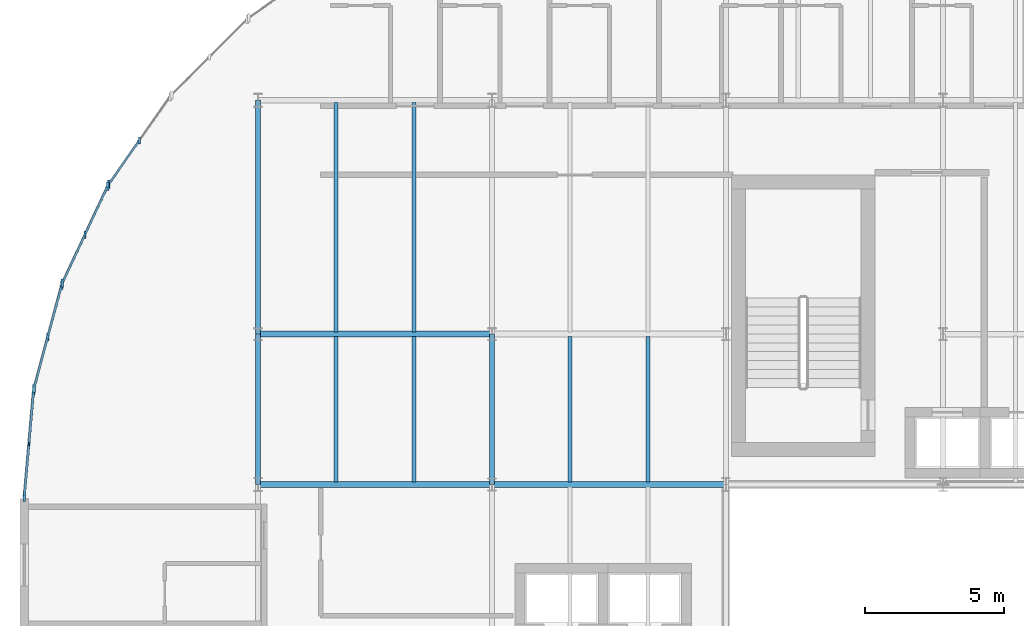
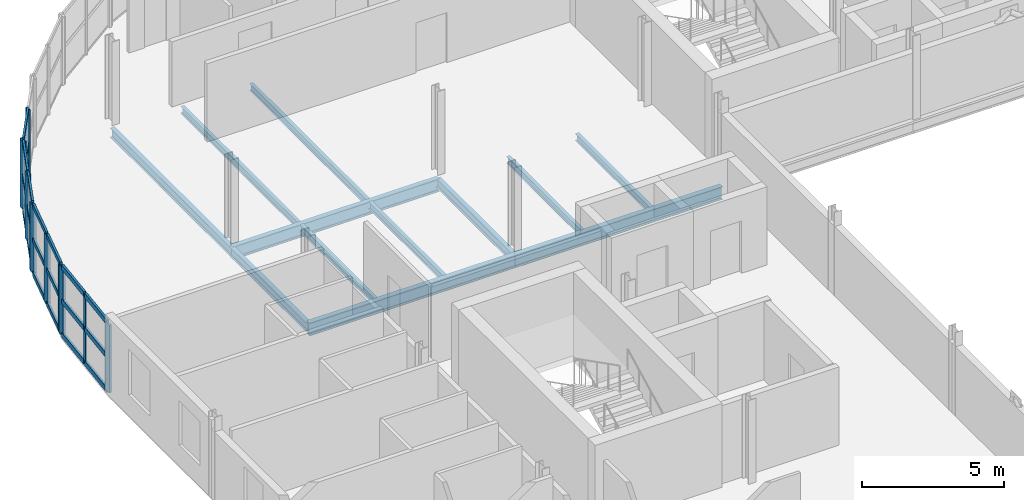
# One storey, part 9 of 36: 32 members, 12 beams, 4 elements without a shape of their own.
"""IFC4 building model written with IfcOpenShell, lengths in metres."""

from ifc_helpers import new_model, si_unit, direction, frame, origin, origin_2d, place, context, subcontext, project, spatial, rectangle, i_section, extrude, material, layer, layer_set, material_profile, profile_set, type_object, element, aggregate, save


model = new_model("IFC4")

# Units and contexts
model_context = context("Model", 3, precision=1e-05, world=origin(), true_north=direction((0.0, 1.0)))
body_context = subcontext(model_context, "Body", "Model", "MODEL_VIEW")
ifc_project = project(units=[si_unit("LENGTHUNIT", "METRE"), si_unit("AREAUNIT", "SQUARE_METRE"), si_unit("VOLUMEUNIT", "CUBIC_METRE"), si_unit("PLANEANGLEUNIT", "RADIAN"), si_unit("MASSUNIT", "GRAM", prefix="KILO")], contexts=[model_context])

# Site, building, storey
site_placement = place(None, origin())
site = spatial("IfcSite", under=ifc_project, at=site_placement, CompositionType="ELEMENT")
building_placement = place(site_placement, origin())
building = spatial("IfcBuilding", under=site, at=building_placement, Name="Sefraquen Railside Congress Hotel", CompositionType="ELEMENT")
storey_placement = place(building_placement, frame((0.0, 0.0, 28.199951171875)))
storey = spatial("IfcBuildingStorey", under=building, at=storey_placement, Name="L06", CompositionType="ELEMENT", Elevation=28.199951171875)

# Beams
ifc_material_1 = material(Name="Steel S355JR", Category="steel")
ifc_material_profile_1 = material_profile(ifc_material_1, i_section(OverallWidth=0.179931640625, OverallDepth=0.39990234375, WebThickness=0.008544921875, FlangeThickness=0.013427734375, FilletRadius=0.02099609375, at=origin_2d()), Name="IPE 400")
ifc_profile_set_1 = profile_set([ifc_material_profile_1], Name="Steel S355JR")
beam_type_1 = type_object("IfcBeamType", Name="TB-BM-400I", PredefinedType="BEAM", material=ifc_profile_set_1)
beam_1_placement = place(storey_placement, frame((8.39990234375, 96.0, -0.4599609375), z_axis=(0.0, 1.0, 0.0), x_axis=(-1.0, 0.0, 0.0)))
element("IfcBeam", 1, at=beam_1_placement, inside=storey, type_object=beam_type_1, Name="Floor beam BM-L06-1656", PredefinedType="BEAM", context=body_context, shape_type="SweptSolid", body=[
    extrude(i_section(OverallWidth=0.179931640625, OverallDepth=0.39990234375, WebThickness=0.008544921875, FlangeThickness=0.013427734375, FilletRadius=0.02099609375, at=origin_2d()), origin(), (0.0, 0.0, 1.0), 5.39990234375),
])
beam_2_placement = place(storey_placement, frame((8.39990234375, 101.39990234375, -0.4599609375), z_axis=(0.0, 1.0, 0.0), x_axis=(-1.0, 0.0, 0.0)))
element("IfcBeam", 2, at=beam_2_placement, inside=storey, type_object=beam_type_1, Name="Floor beam BM-L06-1657", PredefinedType="BEAM", context=body_context, shape_type="SweptSolid", body=[
    extrude(i_section(OverallWidth=0.179931640625, OverallDepth=0.39990234375, WebThickness=0.008544921875, FlangeThickness=0.013427734375, FilletRadius=0.02099609375, at=origin_2d()), origin(), (0.0, 0.0, 1.0), 8.400146484375),
])
beam_3_placement = place(storey_placement, frame((16.800048828125, 96.0, -0.4599609375), z_axis=(0.0, 1.0, 0.0), x_axis=(-1.0, 0.0, 0.0)))
element("IfcBeam", 3, at=beam_3_placement, inside=storey, type_object=beam_type_1, Name="Floor beam BM-L06-1662", PredefinedType="BEAM", context=body_context, shape_type="SweptSolid", body=[
    extrude(i_section(OverallWidth=0.179931640625, OverallDepth=0.39990234375, WebThickness=0.008544921875, FlangeThickness=0.013427734375, FilletRadius=0.02099609375, at=origin_2d()), origin(), (0.0, 0.0, 1.0), 5.39990234375),
])
ifc_material_profile_2 = material_profile(ifc_material_1, i_section(OverallWidth=0.2099609375, OverallDepth=0.550048828125, WebThickness=0.010986328125, FlangeThickness=0.01708984375, FilletRadius=0.02392578125, at=origin_2d()), Name="IPE 550")
ifc_profile_set_2 = profile_set([ifc_material_profile_2], Name="Steel S355JR")
beam_type_2 = type_object("IfcBeamType", Name="TB-GIR-550", PredefinedType="T_BEAM", material=ifc_profile_set_2)
beam_4_placement = place(storey_placement, frame((8.39990234375, 96.0, -0.534912109375), z_axis=(1.0, 0.0, 0.0), x_axis=(0.0, 1.0, 0.0)))
element("IfcBeam", 4, at=beam_4_placement, inside=storey, type_object=beam_type_2, Name="Primary girder BM-L06-1597", PredefinedType="T_BEAM", context=body_context, shape_type="SweptSolid", body=[
    extrude(i_section(OverallWidth=0.2099609375, OverallDepth=0.550048828125, WebThickness=0.010986328125, FlangeThickness=0.01708984375, FilletRadius=0.02392578125, at=origin_2d()), origin(), (0.0, 0.0, 1.0), 8.400146484375),
])
beam_5_placement = place(storey_placement, frame((16.800048828125, 96.0, -0.534912109375), z_axis=(1.0, 0.0, 0.0), x_axis=(0.0, 1.0, 0.0)))
element("IfcBeam", 5, at=beam_5_placement, inside=storey, type_object=beam_type_2, Name="Primary girder BM-L06-1598", PredefinedType="T_BEAM", context=body_context, shape_type="SweptSolid", body=[
    extrude(i_section(OverallWidth=0.2099609375, OverallDepth=0.550048828125, WebThickness=0.010986328125, FlangeThickness=0.01708984375, FilletRadius=0.02392578125, at=origin_2d()), origin(), (0.0, 0.0, 1.0), 8.39990234375),
])
beam_6_placement = place(storey_placement, frame((8.39990234375, 101.39990234375, -0.534912109375), z_axis=(1.0, 0.0, 0.0), x_axis=(0.0, 1.0, 0.0)))
element("IfcBeam", 6, at=beam_6_placement, inside=storey, type_object=beam_type_2, Name="Primary girder BM-L06-1611", PredefinedType="T_BEAM", context=body_context, shape_type="SweptSolid", body=[
    extrude(i_section(OverallWidth=0.2099609375, OverallDepth=0.550048828125, WebThickness=0.010986328125, FlangeThickness=0.01708984375, FilletRadius=0.02392578125, at=origin_2d()), origin(), (0.0, 0.0, 1.0), 8.400146484375),
])
ifc_material_profile_3 = material_profile(ifc_material_1, i_section(OverallWidth=0.14990234375, OverallDepth=0.300048828125, WebThickness=0.007080078125, FlangeThickness=0.0107421875, FilletRadius=0.014892578125, at=origin_2d()), Name="IPE 300")
ifc_profile_set_3 = profile_set([ifc_material_profile_3], Name="Steel S355JR")
beam_type_3 = type_object("IfcBeamType", Name="TB-JST-300", PredefinedType="JOIST", material=ifc_profile_set_3)
for number, where, z_axis, x_axis, name in (
    (7, (11.199951171875, 96.0849609375, -0.409912109375), (0.0, 1.0, 0.0), (-1.0, 0.0, 0.0), "Composite floor joist BM-L06-J1064"),
    (8, (14.0, 96.0849609375, -0.409912109375), (0.0, 1.0, 0.0), (-1.0, 0.0, 0.0), "Composite floor joist BM-L06-J1065"),
):
    element("IfcBeam", number, at=place(storey_placement, frame(where, z_axis=z_axis, x_axis=x_axis)), inside=storey, type_object=beam_type_3, Name=name, PredefinedType="JOIST", context=body_context, shape_type="SweptSolid", body=[
        extrude(i_section(OverallWidth=0.14990234375, OverallDepth=0.300048828125, WebThickness=0.007080078125, FlangeThickness=0.0107421875, FilletRadius=0.014892578125, at=origin_2d()), origin(), (0.0, 0.0, 1.0), 5.22998046875),
    ])
for number, where, z_axis, x_axis, name in (
    (9, (11.199951171875, 101.485107421875, -0.409912109375), (0.0, 1.0, 0.0), (-1.0, 0.0, 0.0), "Composite floor joist BM-L06-J1066"),
    (10, (14.0, 101.485107421875, -0.409912109375), (0.0, 1.0, 0.0), (-1.0, 0.0, 0.0), "Composite floor joist BM-L06-J1067"),
):
    element("IfcBeam", number, at=place(storey_placement, frame(where, z_axis=z_axis, x_axis=x_axis)), inside=storey, type_object=beam_type_3, Name=name, PredefinedType="JOIST", context=body_context, shape_type="SweptSolid", body=[
        extrude(i_section(OverallWidth=0.14990234375, OverallDepth=0.300048828125, WebThickness=0.007080078125, FlangeThickness=0.0107421875, FilletRadius=0.014892578125, at=origin_2d()), origin(), (0.0, 0.0, 1.0), 8.22998046875),
    ])
for number, where, z_axis, x_axis, name in (
    (11, (19.60009765625, 96.0849609375, -0.409912109375), (0.0, 1.0, 0.0), (-1.0, 0.0, 0.0), "Composite floor joist BM-L06-J1076"),
    (12, (22.39990234375, 96.0849609375, -0.409912109375), (0.0, 1.0, 0.0), (-1.0, 0.0, 0.0), "Composite floor joist BM-L06-J1077"),
):
    element("IfcBeam", number, at=place(storey_placement, frame(where, z_axis=z_axis, x_axis=x_axis)), inside=storey, type_object=beam_type_3, Name=name, PredefinedType="JOIST", context=body_context, shape_type="SweptSolid", body=[
        extrude(i_section(OverallWidth=0.14990234375, OverallDepth=0.300048828125, WebThickness=0.007080078125, FlangeThickness=0.0107421875, FilletRadius=0.014892578125, at=origin_2d()), origin(), (0.0, 0.0, 1.0), 5.22998046875),
    ])

# Curtain wall, member
ifc_material_2 = material(Name="Thermally broken anodised aluminium and low-E double glazing", Category="aluminium")
ifc_layer_1 = layer(ifc_material_2, 0.199951171875)
ifc_layer_set_1 = layer_set([ifc_layer_1], Name="Thermally broken anodised aluminium and low-E double glazing")
curtain_wall_type_1 = type_object("IfcCurtainWallType", Name="TCW-UCW-31", PredefinedType="USERDEFINED", material=ifc_layer_set_1)
curtain_wall_1_placement = place(storey_placement, origin())
curtain_wall_1 = element("IfcCurtainWall", 13, at=curtain_wall_1_placement, inside=storey, type_object=curtain_wall_type_1, Name="Rotunda L06 curved curtain wall facet 9", ObjectType="UNITISED CURTAIN WALL", PredefinedType="USERDEFINED")
ifc_material_3 = material(Name="Thermally broken anodised aluminium 6063-T6", Category="aluminium")
ifc_material_profile_4 = material_profile(ifc_material_3, rectangle(XDim=0.06005859375, YDim=0.159912109375, at=origin_2d()), Name="CWM 60x160")
ifc_profile_set_4 = profile_set([ifc_material_profile_4], Name="Thermally broken anodised aluminium 6063-T6")
member_type_1 = type_object("IfcMemberType", Name="TM-CWM-01", PredefinedType="MULLION", material=ifc_profile_set_4)
member_1_placement = place(storey_placement, frame((0.1708984375, 97.45361328125, 0.0), z_axis=(0.0, 0.0, 1.0), x_axis=(1.0, 0.0, 0.0)))
member_1 = element("IfcMember", 14, at=member_1_placement, type_object=member_type_1, Name="CW-L06-ROT-09 mullion 2", PredefinedType="MULLION", context=body_context, shape_type="SweptSolid", body=[
    extrude(rectangle(XDim=0.06005859375, YDim=0.159912109375, at=origin_2d()), origin(), (0.0, 0.0, 1.0), 2.91015625),
])

ifc_layer_2 = layer(ifc_material_2, 0.199951171875)
ifc_layer_set_2 = layer_set([ifc_layer_2], Name="Thermally broken anodised aluminium and low-E double glazing")
curtain_wall_type_2 = type_object("IfcCurtainWallType", Name="TCW-UCW-28", PredefinedType="USERDEFINED", material=ifc_layer_set_2)
curtain_wall_2_placement = place(storey_placement, origin())
curtain_wall_2 = element("IfcCurtainWall", 15, at=curtain_wall_2_placement, inside=storey, type_object=curtain_wall_type_2, Name="Rotunda L06 curved curtain wall facet 6", ObjectType="UNITISED CURTAIN WALL", PredefinedType="USERDEFINED")
ifc_material_profile_5 = material_profile(ifc_material_3, rectangle(XDim=0.080078125, YDim=0.239990234375, at=origin_2d()), Name="CWM 80x240")
ifc_profile_set_5 = profile_set([ifc_material_profile_5], Name="Thermally broken anodised aluminium 6063-T6")
member_type_2 = type_object("IfcMemberType", Name="TM-CWM-05", PredefinedType="MULLION", material=ifc_profile_set_5)
member_2_placement = place(storey_placement, frame((4.13916015625, 108.356201171875, 0.0), z_axis=(0.0, 0.0, 1.0), x_axis=(1.0, 0.0, 0.0)))
member_2 = element("IfcMember", 16, at=member_2_placement, type_object=member_type_2, Name="CW-L06-ROT-06 mullion 2", PredefinedType="MULLION", context=body_context, shape_type="SweptSolid", body=[
    extrude(rectangle(XDim=0.080078125, YDim=0.239990234375, at=origin_2d()), origin(), (0.0, 0.0, 1.0), 2.91015625),
])

ifc_layer_3 = layer(ifc_material_2, 0.199951171875)
ifc_layer_set_3 = layer_set([ifc_layer_3], Name="Thermally broken anodised aluminium and low-E double glazing")
curtain_wall_type_3 = type_object("IfcCurtainWallType", Name="TCW-UCW-29", PredefinedType="USERDEFINED", material=ifc_layer_set_3)
curtain_wall_3_placement = place(storey_placement, origin())
curtain_wall_3 = element("IfcCurtainWall", 17, at=curtain_wall_3_placement, inside=storey, type_object=curtain_wall_type_3, Name="Rotunda L06 curved curtain wall facet 7", ObjectType="UNITISED CURTAIN WALL", PredefinedType="USERDEFINED")
ifc_material_profile_6 = material_profile(ifc_material_3, rectangle(XDim=0.0849609375, YDim=0.260009765625, at=origin_2d()), Name="CWM 85x260")
ifc_profile_set_6 = profile_set([ifc_material_profile_6], Name="Thermally broken anodised aluminium 6063-T6")
member_type_3 = type_object("IfcMemberType", Name="TM-CWM-06", PredefinedType="MULLION", material=ifc_profile_set_6)
member_3_placement = place(storey_placement, frame((2.185546875, 104.972900390625, 0.0), z_axis=(0.0, 0.0, 1.0), x_axis=(1.0, 0.0, 0.0)))
member_3 = element("IfcMember", 18, at=member_3_placement, type_object=member_type_3, Name="CW-L06-ROT-07 mullion 2", PredefinedType="MULLION", context=body_context, shape_type="SweptSolid", body=[
    extrude(rectangle(XDim=0.0849609375, YDim=0.260009765625, at=origin_2d()), origin(), (0.0, 0.0, 1.0), 2.91015625),
])

ifc_layer_4 = layer(ifc_material_2, 0.199951171875)
ifc_layer_set_4 = layer_set([ifc_layer_4], Name="Thermally broken anodised aluminium and low-E double glazing")
curtain_wall_type_4 = type_object("IfcCurtainWallType", Name="TCW-UCW-30", PredefinedType="USERDEFINED", material=ifc_layer_set_4)
curtain_wall_4_placement = place(storey_placement, origin())
curtain_wall_4 = element("IfcCurtainWall", 19, at=curtain_wall_4_placement, inside=storey, type_object=curtain_wall_type_4, Name="Rotunda L06 curved curtain wall facet 8", ObjectType="UNITISED CURTAIN WALL", PredefinedType="USERDEFINED")
ifc_material_profile_7 = material_profile(ifc_material_3, rectangle(XDim=0.090087890625, YDim=0.280029296875, at=origin_2d()), Name="CWM 90x280")
ifc_profile_set_7 = profile_set([ifc_material_profile_7], Name="Thermally broken anodised aluminium 6063-T6")
member_type_4 = type_object("IfcMemberType", Name="TM-CWM-07", PredefinedType="MULLION", material=ifc_profile_set_7)
member_4_placement = place(storey_placement, frame((0.849365234375, 101.30126953125, 0.0), z_axis=(0.0, 0.0, 1.0), x_axis=(1.0, 0.0, 0.0)))
member_4 = element("IfcMember", 20, at=member_4_placement, type_object=member_type_4, Name="CW-L06-ROT-08 mullion 2", PredefinedType="MULLION", context=body_context, shape_type="SweptSolid", body=[
    extrude(rectangle(XDim=0.090087890625, YDim=0.280029296875, at=origin_2d()), origin(), (0.0, 0.0, 1.0), 2.91015625),
])

# Member
ifc_material_profile_8 = material_profile(ifc_material_3, rectangle(XDim=0.094970703125, YDim=0.300048828125, at=origin_2d()), Name="CWM 95x300")
ifc_profile_set_8 = profile_set([ifc_material_profile_8], Name="Thermally broken anodised aluminium 6063-T6")
member_type_5 = type_object("IfcMemberType", Name="TM-CWM-08", PredefinedType="MULLION", material=ifc_profile_set_8)
member_5_placement = place(storey_placement, frame((3.037353515625, 106.78271484375, 0.0), z_axis=(0.0, 0.0, 1.0), x_axis=(1.0, 0.0, 0.0)))
member_5 = element("IfcMember", 21, at=member_5_placement, type_object=member_type_5, Name="CW-L06-ROT-06 mullion 3", PredefinedType="MULLION", context=body_context, shape_type="SweptSolid", body=[
    extrude(rectangle(XDim=0.094970703125, YDim=0.300048828125, at=origin_2d()), origin(), (0.0, 0.0, 1.0), 2.91015625),
])

member_6_placement = place(storey_placement, frame((2.99755859375, 106.713623046875, 0.0), z_axis=(0.0, 0.0, 1.0), x_axis=(1.0, 0.0, 0.0)))
member_6 = element("IfcMember", 22, at=member_6_placement, type_object=member_type_5, Name="CW-L06-ROT-07 mullion 1", PredefinedType="MULLION", context=body_context, shape_type="SweptSolid", body=[
    extrude(rectangle(XDim=0.094970703125, YDim=0.300048828125, at=origin_2d()), origin(), (0.0, 0.0, 1.0), 2.91015625),
])

member_7_placement = place(storey_placement, frame((1.373779296875, 103.231689453125, 0.0), z_axis=(0.0, 0.0, 1.0), x_axis=(1.0, 0.0, 0.0)))
member_7 = element("IfcMember", 23, at=member_7_placement, type_object=member_type_5, Name="CW-L06-ROT-07 mullion 3", PredefinedType="MULLION", context=body_context, shape_type="SweptSolid", body=[
    extrude(rectangle(XDim=0.094970703125, YDim=0.300048828125, at=origin_2d()), origin(), (0.0, 0.0, 1.0), 2.91015625),
])

member_8_placement = place(storey_placement, frame((1.346435546875, 103.156982421875, 0.0), z_axis=(0.0, 0.0, 1.0), x_axis=(1.0, 0.0, 0.0)))
member_8 = element("IfcMember", 24, at=member_8_placement, type_object=member_type_5, Name="CW-L06-ROT-08 mullion 1", PredefinedType="MULLION", context=body_context, shape_type="SweptSolid", body=[
    extrude(rectangle(XDim=0.094970703125, YDim=0.300048828125, at=origin_2d()), origin(), (0.0, 0.0, 1.0), 2.91015625),
])

member_9_placement = place(storey_placement, frame((0.352294921875, 99.44580078125, 0.0), z_axis=(0.0, 0.0, 1.0), x_axis=(1.0, 0.0, 0.0)))
member_9 = element("IfcMember", 25, at=member_9_placement, type_object=member_type_5, Name="CW-L06-ROT-08 mullion 3", PredefinedType="MULLION", context=body_context, shape_type="SweptSolid", body=[
    extrude(rectangle(XDim=0.094970703125, YDim=0.300048828125, at=origin_2d()), origin(), (0.0, 0.0, 1.0), 2.91015625),
])

member_10_placement = place(storey_placement, frame((0.33837890625, 99.3671875, 0.0), z_axis=(0.0, 0.0, 1.0), x_axis=(1.0, 0.0, 0.0)))
member_10 = element("IfcMember", 26, at=member_10_placement, type_object=member_type_5, Name="CW-L06-ROT-09 mullion 1", PredefinedType="MULLION", context=body_context, shape_type="SweptSolid", body=[
    extrude(rectangle(XDim=0.094970703125, YDim=0.300048828125, at=origin_2d()), origin(), (0.0, 0.0, 1.0), 2.91015625),
])

member_11_placement = place(storey_placement, frame((0.00341796875, 95.539794921875, 0.0), z_axis=(0.0, 0.0, 1.0), x_axis=(1.0, 0.0, 0.0)))
member_11 = element("IfcMember", 27, at=member_11_placement, type_object=member_type_5, Name="CW-L06-ROT-09 mullion 3", PredefinedType="MULLION", context=body_context, shape_type="SweptSolid", body=[
    extrude(rectangle(XDim=0.094970703125, YDim=0.300048828125, at=origin_2d()), origin(), (0.0, 0.0, 1.0), 2.91015625),
])

ifc_material_profile_9 = material_profile(ifc_material_3, rectangle(XDim=0.074951171875, YDim=0.1650390625, at=origin_2d()), Name="CWT 75x165")
ifc_profile_set_9 = profile_set([ifc_material_profile_9], Name="Thermally broken anodised aluminium 6063-T6")
member_type_6 = type_object("IfcMemberType", Name="TM-CWT-04", PredefinedType="USERDEFINED", material=ifc_profile_set_9)
member_12_placement = place(storey_placement, frame((4.11328125, 108.319580078125, 0.0), z_axis=(-0.573480241742, -0.819219392063, 0.0), x_axis=(0.819219392063, -0.573480241742, 0.0)))
member_12 = element("IfcMember", 28, at=member_12_placement, type_object=member_type_6, Name="CW-L06-ROT-06 transom 1.2", ObjectType="TRANSOM", PredefinedType="USERDEFINED", context=body_context, shape_type="SweptSolid", body=[
    extrude(rectangle(XDim=0.074951171875, YDim=0.1650390625, at=origin_2d()), origin(), (0.0, 0.0, 1.0), 1.8310546875),
])

member_13_placement = place(storey_placement, frame((4.11328125, 108.319580078125, 1.455078125), z_axis=(-0.573480241742, -0.819219392063, 0.0), x_axis=(0.819219392063, -0.573480241742, 0.0)))
member_13 = element("IfcMember", 29, at=member_13_placement, type_object=member_type_6, Name="CW-L06-ROT-06 transom 2.2", ObjectType="TRANSOM", PredefinedType="USERDEFINED", context=body_context, shape_type="SweptSolid", body=[
    extrude(rectangle(XDim=0.074951171875, YDim=0.1650390625, at=origin_2d()), origin(), (0.0, 0.0, 1.0), 1.8310546875),
])

member_14_placement = place(storey_placement, frame((4.11328125, 108.319580078125, 2.91015625), z_axis=(-0.573480241742, -0.819219392063, 0.0), x_axis=(0.819219392063, -0.573480241742, 0.0)))
member_14 = element("IfcMember", 30, at=member_14_placement, type_object=member_type_6, Name="CW-L06-ROT-06 transom 3.2", ObjectType="TRANSOM", PredefinedType="USERDEFINED", context=body_context, shape_type="SweptSolid", body=[
    extrude(rectangle(XDim=0.074951171875, YDim=0.1650390625, at=origin_2d()), origin(), (0.0, 0.0, 1.0), 1.8310546875),
])

aggregate(curtain_wall_2, [member_2, member_5, member_12, member_13, member_14])

ifc_material_profile_10 = material_profile(ifc_material_3, rectangle(XDim=0.080078125, YDim=0.179931640625, at=origin_2d()), Name="CWT 80x180")
ifc_profile_set_10 = profile_set([ifc_material_profile_10], Name="Thermally broken anodised aluminium 6063-T6")
member_type_7 = type_object("IfcMemberType", Name="TM-CWT-05", PredefinedType="USERDEFINED", material=ifc_profile_set_10)
member_15_placement = place(storey_placement, frame((2.978515625, 106.6728515625, 0.0), z_axis=(-0.422673771403, -0.906281900386, 0.0), x_axis=(0.906281900386, -0.422673771403, 0.0)))
member_15 = element("IfcMember", 31, at=member_15_placement, type_object=member_type_7, Name="CW-L06-ROT-07 transom 1.1", ObjectType="TRANSOM", PredefinedType="USERDEFINED", context=body_context, shape_type="SweptSolid", body=[
    extrude(rectangle(XDim=0.080078125, YDim=0.179931640625, at=origin_2d()), origin(), (0.0, 0.0, 1.0), 1.8310546875),
])

member_16_placement = place(storey_placement, frame((2.166748046875, 104.931884765625, 0.0), z_axis=(-0.422724852641, -0.906258075252, 0.0), x_axis=(0.906258075252, -0.422724852641, 0.0)))
member_16 = element("IfcMember", 32, at=member_16_placement, type_object=member_type_7, Name="CW-L06-ROT-07 transom 1.2", ObjectType="TRANSOM", PredefinedType="USERDEFINED", context=body_context, shape_type="SweptSolid", body=[
    extrude(rectangle(XDim=0.080078125, YDim=0.179931640625, at=origin_2d()), origin(), (0.0, 0.0, 1.0), 1.830810546875),
])

member_17_placement = place(storey_placement, frame((2.978515625, 106.6728515625, 1.455078125), z_axis=(-0.422673771403, -0.906281900386, 0.0), x_axis=(0.906281900386, -0.422673771403, 0.0)))
member_17 = element("IfcMember", 33, at=member_17_placement, type_object=member_type_7, Name="CW-L06-ROT-07 transom 2.1", ObjectType="TRANSOM", PredefinedType="USERDEFINED", context=body_context, shape_type="SweptSolid", body=[
    extrude(rectangle(XDim=0.080078125, YDim=0.179931640625, at=origin_2d()), origin(), (0.0, 0.0, 1.0), 1.8310546875),
])

member_18_placement = place(storey_placement, frame((2.166748046875, 104.931884765625, 1.455078125), z_axis=(-0.422724852641, -0.906258075252, 0.0), x_axis=(0.906258075252, -0.422724852641, 0.0)))
member_18 = element("IfcMember", 34, at=member_18_placement, type_object=member_type_7, Name="CW-L06-ROT-07 transom 2.2", ObjectType="TRANSOM", PredefinedType="USERDEFINED", context=body_context, shape_type="SweptSolid", body=[
    extrude(rectangle(XDim=0.080078125, YDim=0.179931640625, at=origin_2d()), origin(), (0.0, 0.0, 1.0), 1.830810546875),
])

member_19_placement = place(storey_placement, frame((2.978515625, 106.6728515625, 2.91015625), z_axis=(-0.422673771403, -0.906281900386, 0.0), x_axis=(0.906281900386, -0.422673771403, 0.0)))
member_19 = element("IfcMember", 35, at=member_19_placement, type_object=member_type_7, Name="CW-L06-ROT-07 transom 3.1", ObjectType="TRANSOM", PredefinedType="USERDEFINED", context=body_context, shape_type="SweptSolid", body=[
    extrude(rectangle(XDim=0.080078125, YDim=0.179931640625, at=origin_2d()), origin(), (0.0, 0.0, 1.0), 1.8310546875),
])

member_20_placement = place(storey_placement, frame((2.166748046875, 104.931884765625, 2.91015625), z_axis=(-0.422724852641, -0.906258075252, 0.0), x_axis=(0.906258075252, -0.422724852641, 0.0)))
member_20 = element("IfcMember", 36, at=member_20_placement, type_object=member_type_7, Name="CW-L06-ROT-07 transom 3.2", ObjectType="TRANSOM", PredefinedType="USERDEFINED", context=body_context, shape_type="SweptSolid", body=[
    extrude(rectangle(XDim=0.080078125, YDim=0.179931640625, at=origin_2d()), origin(), (0.0, 0.0, 1.0), 1.830810546875),
])

aggregate(curtain_wall_3, [member_6, member_3, member_7, member_15, member_16, member_17, member_18, member_19, member_20])

ifc_material_profile_11 = material_profile(ifc_material_3, rectangle(XDim=0.0849609375, YDim=0.195068359375, at=origin_2d()), Name="CWT 85x195")
ifc_profile_set_11 = profile_set([ifc_material_profile_11], Name="Thermally broken anodised aluminium 6063-T6")
member_type_8 = type_object("IfcMemberType", Name="TM-CWT-06", PredefinedType="USERDEFINED", material=ifc_profile_set_11)
member_21_placement = place(storey_placement, frame((1.3349609375, 103.11328125, 0.0), z_axis=(-0.25894046868, -0.965893282759, 0.0), x_axis=(0.965893282759, -0.25894046868, 0.0)))
member_21 = element("IfcMember", 37, at=member_21_placement, type_object=member_type_8, Name="CW-L06-ROT-08 transom 1.1", ObjectType="TRANSOM", PredefinedType="USERDEFINED", context=body_context, shape_type="SweptSolid", body=[
    extrude(rectangle(XDim=0.0849609375, YDim=0.195068359375, at=origin_2d()), origin(), (0.0, 0.0, 1.0), 1.8310546875),
])

member_22_placement = place(storey_placement, frame((0.837646484375, 101.2578125, 0.0), z_axis=(-0.258816065499, -0.965926624666, 0.0), x_axis=(0.965926624666, -0.258816065499, 0.0)))
member_22 = element("IfcMember", 38, at=member_22_placement, type_object=member_type_8, Name="CW-L06-ROT-08 transom 1.2", ObjectType="TRANSOM", PredefinedType="USERDEFINED", context=body_context, shape_type="SweptSolid", body=[
    extrude(rectangle(XDim=0.0849609375, YDim=0.195068359375, at=origin_2d()), origin(), (0.0, 0.0, 1.0), 1.8310546875),
])

member_23_placement = place(storey_placement, frame((1.3349609375, 103.11328125, 1.455078125), z_axis=(-0.25894046868, -0.965893282759, 0.0), x_axis=(0.965893282759, -0.25894046868, 0.0)))
member_23 = element("IfcMember", 39, at=member_23_placement, type_object=member_type_8, Name="CW-L06-ROT-08 transom 2.1", ObjectType="TRANSOM", PredefinedType="USERDEFINED", context=body_context, shape_type="SweptSolid", body=[
    extrude(rectangle(XDim=0.0849609375, YDim=0.195068359375, at=origin_2d()), origin(), (0.0, 0.0, 1.0), 1.8310546875),
])

member_24_placement = place(storey_placement, frame((0.837646484375, 101.2578125, 1.455078125), z_axis=(-0.258816065499, -0.965926624666, 0.0), x_axis=(0.965926624666, -0.258816065499, 0.0)))
member_24 = element("IfcMember", 40, at=member_24_placement, type_object=member_type_8, Name="CW-L06-ROT-08 transom 2.2", ObjectType="TRANSOM", PredefinedType="USERDEFINED", context=body_context, shape_type="SweptSolid", body=[
    extrude(rectangle(XDim=0.0849609375, YDim=0.195068359375, at=origin_2d()), origin(), (0.0, 0.0, 1.0), 1.8310546875),
])

member_25_placement = place(storey_placement, frame((1.3349609375, 103.11328125, 2.91015625), z_axis=(-0.25894046868, -0.965893282759, 0.0), x_axis=(0.965893282759, -0.25894046868, 0.0)))
member_25 = element("IfcMember", 41, at=member_25_placement, type_object=member_type_8, Name="CW-L06-ROT-08 transom 3.1", ObjectType="TRANSOM", PredefinedType="USERDEFINED", context=body_context, shape_type="SweptSolid", body=[
    extrude(rectangle(XDim=0.0849609375, YDim=0.195068359375, at=origin_2d()), origin(), (0.0, 0.0, 1.0), 1.8310546875),
])

member_26_placement = place(storey_placement, frame((0.837646484375, 101.2578125, 2.91015625), z_axis=(-0.258816065499, -0.965926624666, 0.0), x_axis=(0.965926624666, -0.258816065499, 0.0)))
member_26 = element("IfcMember", 42, at=member_26_placement, type_object=member_type_8, Name="CW-L06-ROT-08 transom 3.2", ObjectType="TRANSOM", PredefinedType="USERDEFINED", context=body_context, shape_type="SweptSolid", body=[
    extrude(rectangle(XDim=0.0849609375, YDim=0.195068359375, at=origin_2d()), origin(), (0.0, 0.0, 1.0), 1.8310546875),
])

aggregate(curtain_wall_4, [member_8, member_4, member_9, member_21, member_22, member_23, member_24, member_25, member_26])

ifc_material_profile_12 = material_profile(ifc_material_3, rectangle(XDim=0.090087890625, YDim=0.2099609375, at=origin_2d()), Name="CWT 90x210")
ifc_profile_set_12 = profile_set([ifc_material_profile_12], Name="Thermally broken anodised aluminium 6063-T6")
member_type_9 = type_object("IfcMemberType", Name="TM-CWT-07", PredefinedType="USERDEFINED", material=ifc_profile_set_12)
member_27_placement = place(storey_placement, frame((0.33447265625, 99.322509765625, 0.0), z_axis=(-0.087193412302, -0.996191401715, 0.0), x_axis=(0.996191401715, -0.087193412302, 0.0)))
member_27 = element("IfcMember", 43, at=member_27_placement, type_object=member_type_9, Name="CW-L06-ROT-09 transom 1.1", ObjectType="TRANSOM", PredefinedType="USERDEFINED", context=body_context, shape_type="SweptSolid", body=[
    extrude(rectangle(XDim=0.090087890625, YDim=0.2099609375, at=origin_2d()), origin(), (0.0, 0.0, 1.0), 1.831298828125),
])

member_28_placement = place(storey_placement, frame((0.1669921875, 97.40869140625, 0.0), z_axis=(-0.08720499447, -0.996190387898, 0.0), x_axis=(0.996190387898, -0.08720499447, 0.0)))
member_28 = element("IfcMember", 44, at=member_28_placement, type_object=member_type_9, Name="CW-L06-ROT-09 transom 1.2", ObjectType="TRANSOM", PredefinedType="USERDEFINED", context=body_context, shape_type="SweptSolid", body=[
    extrude(rectangle(XDim=0.090087890625, YDim=0.2099609375, at=origin_2d()), origin(), (0.0, 0.0, 1.0), 1.8310546875),
])

member_29_placement = place(storey_placement, frame((0.33447265625, 99.322509765625, 1.455078125), z_axis=(-0.087193412302, -0.996191401715, 0.0), x_axis=(0.996191401715, -0.087193412302, 0.0)))
member_29 = element("IfcMember", 45, at=member_29_placement, type_object=member_type_9, Name="CW-L06-ROT-09 transom 2.1", ObjectType="TRANSOM", PredefinedType="USERDEFINED", context=body_context, shape_type="SweptSolid", body=[
    extrude(rectangle(XDim=0.090087890625, YDim=0.2099609375, at=origin_2d()), origin(), (0.0, 0.0, 1.0), 1.831298828125),
])

member_30_placement = place(storey_placement, frame((0.1669921875, 97.40869140625, 1.455078125), z_axis=(-0.08720499447, -0.996190387898, 0.0), x_axis=(0.996190387898, -0.08720499447, 0.0)))
member_30 = element("IfcMember", 46, at=member_30_placement, type_object=member_type_9, Name="CW-L06-ROT-09 transom 2.2", ObjectType="TRANSOM", PredefinedType="USERDEFINED", context=body_context, shape_type="SweptSolid", body=[
    extrude(rectangle(XDim=0.090087890625, YDim=0.2099609375, at=origin_2d()), origin(), (0.0, 0.0, 1.0), 1.8310546875),
])

member_31_placement = place(storey_placement, frame((0.33447265625, 99.322509765625, 2.91015625), z_axis=(-0.087193412302, -0.996191401715, 0.0), x_axis=(0.996191401715, -0.087193412302, 0.0)))
member_31 = element("IfcMember", 47, at=member_31_placement, type_object=member_type_9, Name="CW-L06-ROT-09 transom 3.1", ObjectType="TRANSOM", PredefinedType="USERDEFINED", context=body_context, shape_type="SweptSolid", body=[
    extrude(rectangle(XDim=0.090087890625, YDim=0.2099609375, at=origin_2d()), origin(), (0.0, 0.0, 1.0), 1.831298828125),
])

member_32_placement = place(storey_placement, frame((0.1669921875, 97.40869140625, 2.91015625), z_axis=(-0.08720499447, -0.996190387898, 0.0), x_axis=(0.996190387898, -0.08720499447, 0.0)))
member_32 = element("IfcMember", 48, at=member_32_placement, type_object=member_type_9, Name="CW-L06-ROT-09 transom 3.2", ObjectType="TRANSOM", PredefinedType="USERDEFINED", context=body_context, shape_type="SweptSolid", body=[
    extrude(rectangle(XDim=0.090087890625, YDim=0.2099609375, at=origin_2d()), origin(), (0.0, 0.0, 1.0), 1.8310546875),
])

aggregate(curtain_wall_1, [member_10, member_1, member_11, member_27, member_28, member_29, member_30, member_31, member_32])

save(model, "model.ifc")
